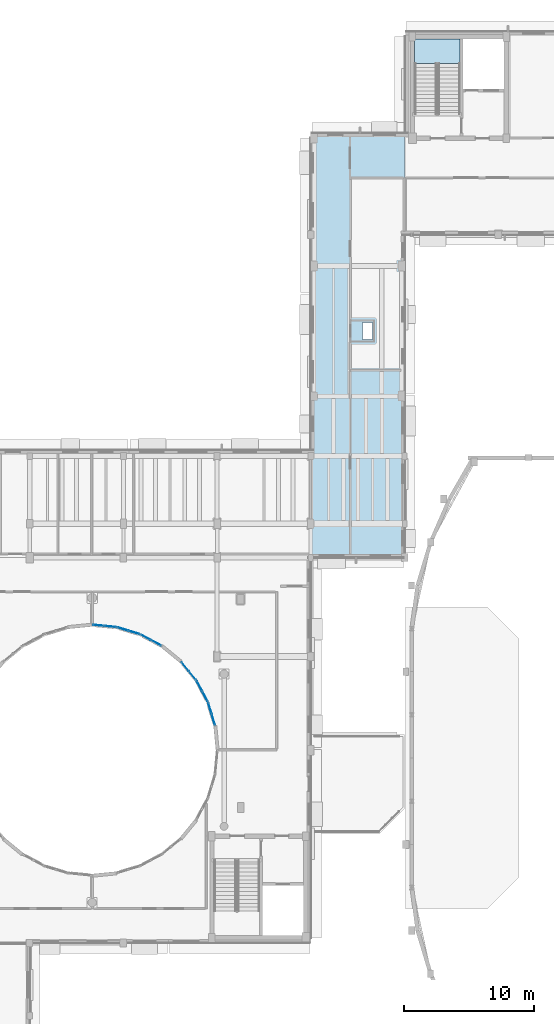
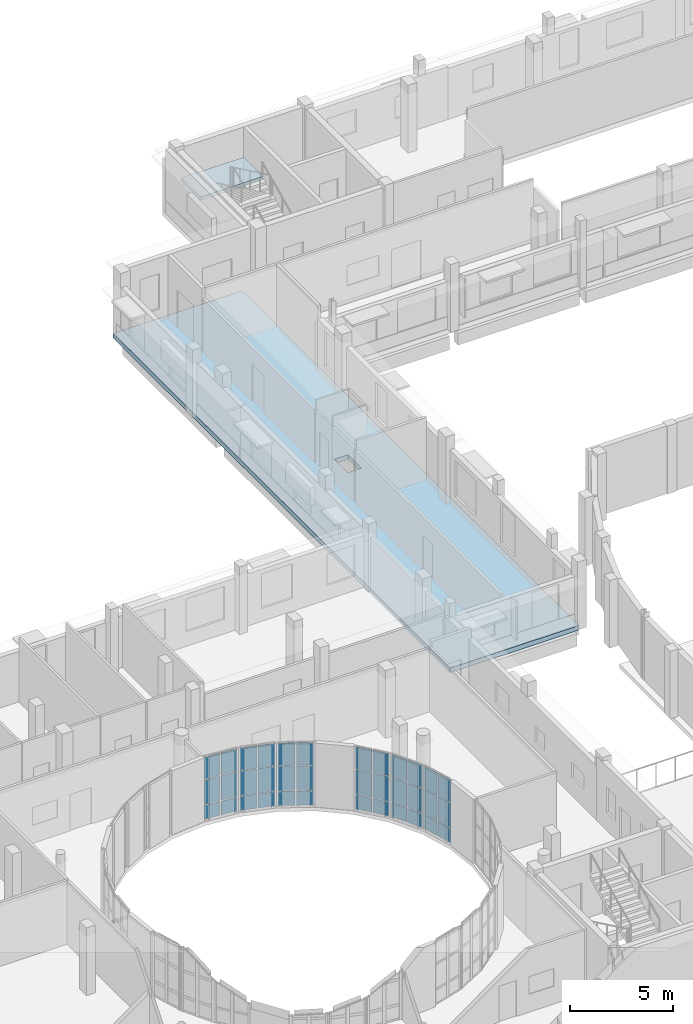
# One storey, part 63 of 89: 36 plates, 2 slabs, 7 elements without a shape of their own.
"""IFC4 building model written with IfcOpenShell, lengths in metres."""

from ifc_helpers import new_model, si_unit, direction, frame, origin, origin_2d, place, context, subcontext, project, spatial, polyline, rectangle, outline, extrude, material, layer, layer_set, type_object, element, aggregate, save


model = new_model("IFC4")

# Units and contexts
model_context = context("Model", 3, precision=1e-05, world=origin(), true_north=direction((0.0, 1.0)))
body_context = subcontext(model_context, "Body", "Model", "MODEL_VIEW")
ifc_project = project(units=[si_unit("LENGTHUNIT", "METRE"), si_unit("AREAUNIT", "SQUARE_METRE"), si_unit("VOLUMEUNIT", "CUBIC_METRE"), si_unit("PLANEANGLEUNIT", "RADIAN"), si_unit("MASSUNIT", "GRAM", prefix="KILO")], contexts=[model_context])

# Site, building, storey
site_placement = place(None, origin())
site = spatial("IfcSite", under=ifc_project, at=site_placement, CompositionType="ELEMENT")
building_placement = place(site_placement, origin())
building = spatial("IfcBuilding", under=site, at=building_placement, Name="Kelanivale Promenade Academy", CompositionType="ELEMENT")
storey_placement = place(building_placement, frame((0.0, 0.0, 12.199951171875)))
storey = spatial("IfcBuildingStorey", under=building, at=storey_placement, Name="L03", CompositionType="ELEMENT", Elevation=12.199951171875)

# Curtain wall, plates
ifc_material_1 = material(Name="Bronze anodised aluminium and solar-control low-E glass", Category="aluminium")
ifc_layer_1 = layer(ifc_material_1, 0.169921875)
ifc_layer_set_1 = layer_set([ifc_layer_1], Name="Bronze anodised aluminium and solar-control low-E glass")
curtain_wall_type_1 = type_object("IfcCurtainWallType", Name="CW-13 Curtain Wall 1350mm Module", PredefinedType="USERDEFINED", material=ifc_layer_set_1)
curtain_wall_1_placement = place(storey_placement, origin())
curtain_wall_1 = element("IfcCurtainWall", 1, at=curtain_wall_1_placement, inside=storey, type_object=curtain_wall_type_1, Name="L03 courtyard curtain wall CW-13", ObjectType="COURTYARD SCREEN GLAZING", PredefinedType="USERDEFINED")
ifc_material_2 = material(Name="Solar-control double glazing 28 mm", Category="glass")
ifc_layer_2 = layer(ifc_material_2, 0.028076171875)
ifc_layer_set_2 = layer_set([ifc_layer_2], Name="Solar-control double glazing 28 mm")
plate_type_1 = type_object("IfcPlateType", Name="CWP-01 Plate 28mm", PredefinedType="CURTAIN_PANEL", material=ifc_layer_set_2)
plate_1_placement = place(storey_placement, frame((106.504638671875, 62.53564453125, 0.05029296875), z_axis=(0.0, 0.0, 1.0), x_axis=(-0.634092539482, 0.773257170269, 0.0)))
plate_1 = element("IfcPlate", 2, at=plate_1_placement, type_object=plate_type_1, Name="CW-13 panel 1.1", PredefinedType="CURTAIN_PANEL", context=body_context, shape_type="SweptSolid", body=[
    extrude(rectangle(XDim=0.833251953125, YDim=0.028076171875, at=origin_2d()), origin(), (0.0, 0.0, 1.0), 0.824951171875),
])
plate_2_placement = place(storey_placement, frame((106.504638671875, 62.53564453125, 0.92529296875), z_axis=(0.0, 0.0, 1.0), x_axis=(-0.634092539482, 0.773257170269, 0.0)))
plate_2 = element("IfcPlate", 3, at=plate_2_placement, type_object=plate_type_1, Name="CW-13 panel 1.2", PredefinedType="CURTAIN_PANEL", context=body_context, shape_type="SweptSolid", body=[
    extrude(rectangle(XDim=0.833251953125, YDim=0.028076171875, at=origin_2d()), origin(), (0.0, 0.0, 1.0), 1.449951171875),
])
plate_3_placement = place(storey_placement, frame((106.504638671875, 62.53564453125, 2.42529296875), z_axis=(0.0, 0.0, 1.0), x_axis=(-0.634092539482, 0.773257170269, 0.0)))
plate_3 = element("IfcPlate", 4, at=plate_3_placement, type_object=plate_type_1, Name="CW-13 panel 1.3", PredefinedType="CURTAIN_PANEL", context=body_context, shape_type="SweptSolid", body=[
    extrude(rectangle(XDim=0.833251953125, YDim=0.028076171875, at=origin_2d()), origin(), (0.0, 0.0, 1.0), 1.304931640625),
])
plate_4_placement = place(storey_placement, frame((105.938232421875, 63.226318359375, 0.05029296875), z_axis=(0.0, 0.0, 1.0), x_axis=(-0.634092539482, 0.773257170269, 0.0)))
plate_4 = element("IfcPlate", 5, at=plate_4_placement, type_object=plate_type_1, Name="CW-13 panel 2.1", PredefinedType="CURTAIN_PANEL", context=body_context, shape_type="SweptSolid", body=[
    extrude(rectangle(XDim=0.833251953125, YDim=0.028076171875, at=origin_2d()), origin(), (0.0, 0.0, 1.0), 0.824951171875),
])
plate_5_placement = place(storey_placement, frame((105.938232421875, 63.226318359375, 0.92529296875), z_axis=(0.0, 0.0, 1.0), x_axis=(-0.634092539482, 0.773257170269, 0.0)))
plate_5 = element("IfcPlate", 6, at=plate_5_placement, type_object=plate_type_1, Name="CW-13 panel 2.2", PredefinedType="CURTAIN_PANEL", context=body_context, shape_type="SweptSolid", body=[
    extrude(rectangle(XDim=0.833251953125, YDim=0.028076171875, at=origin_2d()), origin(), (0.0, 0.0, 1.0), 1.449951171875),
])
plate_6_placement = place(storey_placement, frame((105.938232421875, 63.226318359375, 2.42529296875), z_axis=(0.0, 0.0, 1.0), x_axis=(-0.634092539482, 0.773257170269, 0.0)))
plate_6 = element("IfcPlate", 7, at=plate_6_placement, type_object=plate_type_1, Name="CW-13 panel 2.3", PredefinedType="CURTAIN_PANEL", context=body_context, shape_type="SweptSolid", body=[
    extrude(rectangle(XDim=0.833251953125, YDim=0.028076171875, at=origin_2d()), origin(), (0.0, 0.0, 1.0), 1.304931640625),
])
aggregate(curtain_wall_1, [plate_1, plate_2, plate_3, plate_4, plate_5, plate_6])

ifc_layer_3 = layer(ifc_material_1, 0.169921875)
ifc_layer_set_3 = layer_set([ifc_layer_3], Name="Bronze anodised aluminium and solar-control low-E glass")
curtain_wall_type_2 = type_object("IfcCurtainWallType", Name="CW-16 Curtain Wall 1800mm Module", PredefinedType="USERDEFINED", material=ifc_layer_set_3)
curtain_wall_2_placement = place(storey_placement, origin())
curtain_wall_2 = element("IfcCurtainWall", 8, at=curtain_wall_2_placement, inside=storey, type_object=curtain_wall_type_2, Name="L03 courtyard curtain wall CW-16", ObjectType="COURTYARD SCREEN GLAZING", PredefinedType="USERDEFINED")
plate_7_placement = place(storey_placement, frame((100.19140625, 66.30322265625, 0.06005859375), z_axis=(0.0, 0.0, 1.0), x_axis=(-0.99513321337, 0.098538762159, 0.0)))
plate_7 = element("IfcPlate", 9, at=plate_7_placement, type_object=plate_type_1, Name="CW-16 panel 1.1", PredefinedType="CURTAIN_PANEL", context=body_context, shape_type="SweptSolid", body=[
    extrude(rectangle(XDim=0.825927734375, YDim=0.028076171875, at=origin_2d()), origin(), (0.0, 0.0, 1.0), 0.81005859375),
])
plate_8_placement = place(storey_placement, frame((100.19140625, 66.30322265625, 0.93017578125), z_axis=(0.0, 0.0, 1.0), x_axis=(-0.99513321337, 0.098538762159, 0.0)))
plate_8 = element("IfcPlate", 10, at=plate_8_placement, type_object=plate_type_1, Name="CW-16 panel 1.2", PredefinedType="CURTAIN_PANEL", context=body_context, shape_type="SweptSolid", body=[
    extrude(rectangle(XDim=0.825927734375, YDim=0.028076171875, at=origin_2d()), origin(), (0.0, 0.0, 1.0), 1.43994140625),
])
plate_9_placement = place(storey_placement, frame((100.19140625, 66.30322265625, 2.429931640625), z_axis=(0.0, 0.0, 1.0), x_axis=(-0.99513321337, 0.098538762159, 0.0)))
plate_9 = element("IfcPlate", 11, at=plate_9_placement, type_object=plate_type_1, Name="CW-16 panel 1.3", PredefinedType="CURTAIN_PANEL", context=body_context, shape_type="SweptSolid", body=[
    extrude(rectangle(XDim=0.825927734375, YDim=0.028076171875, at=origin_2d()), origin(), (0.0, 0.0, 1.0), 1.2900390625),
])
plate_10_placement = place(storey_placement, frame((99.3046875, 66.390869140625, 0.06005859375), z_axis=(0.0, 0.0, 1.0), x_axis=(-0.99513321337, 0.098538762159, 0.0)))
plate_10 = element("IfcPlate", 12, at=plate_10_placement, type_object=plate_type_1, Name="CW-16 panel 2.1", PredefinedType="CURTAIN_PANEL", context=body_context, shape_type="SweptSolid", body=[
    extrude(rectangle(XDim=0.825927734375, YDim=0.028076171875, at=origin_2d()), origin(), (0.0, 0.0, 1.0), 0.81005859375),
])
plate_11_placement = place(storey_placement, frame((99.3046875, 66.390869140625, 0.93017578125), z_axis=(0.0, 0.0, 1.0), x_axis=(-0.99513321337, 0.098538762159, 0.0)))
plate_11 = element("IfcPlate", 13, at=plate_11_placement, type_object=plate_type_1, Name="CW-16 panel 2.2", PredefinedType="CURTAIN_PANEL", context=body_context, shape_type="SweptSolid", body=[
    extrude(rectangle(XDim=0.825927734375, YDim=0.028076171875, at=origin_2d()), origin(), (0.0, 0.0, 1.0), 1.43994140625),
])
plate_12_placement = place(storey_placement, frame((99.3046875, 66.390869140625, 2.429931640625), z_axis=(0.0, 0.0, 1.0), x_axis=(-0.99513321337, 0.098538762159, 0.0)))
plate_12 = element("IfcPlate", 14, at=plate_12_placement, type_object=plate_type_1, Name="CW-16 panel 2.3", PredefinedType="CURTAIN_PANEL", context=body_context, shape_type="SweptSolid", body=[
    extrude(rectangle(XDim=0.825927734375, YDim=0.028076171875, at=origin_2d()), origin(), (0.0, 0.0, 1.0), 1.2900390625),
])
aggregate(curtain_wall_2, [plate_7, plate_8, plate_9, plate_10, plate_11, plate_12])

ifc_layer_4 = layer(ifc_material_1, 0.179931640625)
ifc_layer_set_4 = layer_set([ifc_layer_4], Name="Bronze anodised aluminium and solar-control low-E glass")
curtain_wall_type_3 = type_object("IfcCurtainWallType", Name="CW-11 Curtain Wall 1950mm Module", PredefinedType="USERDEFINED", material=ifc_layer_set_4)
curtain_wall_3_placement = place(storey_placement, origin())
curtain_wall_3 = element("IfcCurtainWall", 15, at=curtain_wall_3_placement, inside=storey, type_object=curtain_wall_type_3, Name="L03 courtyard curtain wall CW-11", ObjectType="UNITISED GLAZING", PredefinedType="USERDEFINED")
ifc_material_3 = material(Name="Acoustic laminated double glazing 36 mm", Category="glass")
ifc_layer_5 = layer(ifc_material_3, 0.035888671875)
ifc_layer_set_5 = layer_set([ifc_layer_5], Name="Acoustic laminated double glazing 36 mm")
plate_type_2 = type_object("IfcPlateType", Name="CWP-02 Plate 36mm", PredefinedType="CURTAIN_PANEL", material=ifc_layer_set_5)
plate_13_placement = place(storey_placement, frame((108.1083984375, 59.16552734375, 0.05029296875), z_axis=(0.0, 0.0, 1.0), x_axis=(-0.290127576893, 0.956987977524, 0.0)))
plate_13 = element("IfcPlate", 16, at=plate_13_placement, type_object=plate_type_2, Name="CW-11 panel 1.1", PredefinedType="CURTAIN_PANEL", context=body_context, shape_type="SweptSolid", body=[
    extrude(rectangle(XDim=0.826171875, YDim=0.035888671875, at=origin_2d()), origin(), (0.0, 0.0, 1.0), 0.824951171875),
])
plate_14_placement = place(storey_placement, frame((108.1083984375, 59.16552734375, 0.92529296875), z_axis=(0.0, 0.0, 1.0), x_axis=(-0.290127576893, 0.956987977524, 0.0)))
plate_14 = element("IfcPlate", 17, at=plate_14_placement, type_object=plate_type_2, Name="CW-11 panel 1.2", PredefinedType="CURTAIN_PANEL", context=body_context, shape_type="SweptSolid", body=[
    extrude(rectangle(XDim=0.826171875, YDim=0.035888671875, at=origin_2d()), origin(), (0.0, 0.0, 1.0), 1.449951171875),
])
plate_15_placement = place(storey_placement, frame((108.1083984375, 59.16552734375, 2.42529296875), z_axis=(0.0, 0.0, 1.0), x_axis=(-0.290127576893, 0.956987977524, 0.0)))
plate_15 = element("IfcPlate", 18, at=plate_15_placement, type_object=plate_type_2, Name="CW-11 panel 1.3", PredefinedType="CURTAIN_PANEL", context=body_context, shape_type="SweptSolid", body=[
    extrude(rectangle(XDim=0.826171875, YDim=0.035888671875, at=origin_2d()), origin(), (0.0, 0.0, 1.0), 1.304931640625),
])
plate_16_placement = place(storey_placement, frame((107.849609375, 60.0185546875, 0.05029296875), z_axis=(0.0, 0.0, 1.0), x_axis=(-0.290127576893, 0.956987977524, 0.0)))
plate_16 = element("IfcPlate", 19, at=plate_16_placement, type_object=plate_type_2, Name="CW-11 panel 2.1", PredefinedType="CURTAIN_PANEL", context=body_context, shape_type="SweptSolid", body=[
    extrude(rectangle(XDim=0.826171875, YDim=0.035888671875, at=origin_2d()), origin(), (0.0, 0.0, 1.0), 0.824951171875),
])
plate_17_placement = place(storey_placement, frame((107.849609375, 60.0185546875, 0.92529296875), z_axis=(0.0, 0.0, 1.0), x_axis=(-0.290127576893, 0.956987977524, 0.0)))
plate_17 = element("IfcPlate", 20, at=plate_17_placement, type_object=plate_type_2, Name="CW-11 panel 2.2", PredefinedType="CURTAIN_PANEL", context=body_context, shape_type="SweptSolid", body=[
    extrude(rectangle(XDim=0.826171875, YDim=0.035888671875, at=origin_2d()), origin(), (0.0, 0.0, 1.0), 1.449951171875),
])
plate_18_placement = place(storey_placement, frame((107.849609375, 60.0185546875, 2.42529296875), z_axis=(0.0, 0.0, 1.0), x_axis=(-0.290127576893, 0.956987977524, 0.0)))
plate_18 = element("IfcPlate", 21, at=plate_18_placement, type_object=plate_type_2, Name="CW-11 panel 2.3", PredefinedType="CURTAIN_PANEL", context=body_context, shape_type="SweptSolid", body=[
    extrude(rectangle(XDim=0.826171875, YDim=0.035888671875, at=origin_2d()), origin(), (0.0, 0.0, 1.0), 1.304931640625),
])
aggregate(curtain_wall_3, [plate_13, plate_14, plate_15, plate_16, plate_17, plate_18])

ifc_layer_6 = layer(ifc_material_1, 0.179931640625)
ifc_layer_set_6 = layer_set([ifc_layer_6], Name="Bronze anodised aluminium and solar-control low-E glass")
curtain_wall_type_4 = type_object("IfcCurtainWallType", Name="CW-14 Curtain Wall 1500mm Module", PredefinedType="USERDEFINED", material=ifc_layer_set_6)
curtain_wall_4_placement = place(storey_placement, origin())
curtain_wall_4 = element("IfcCurtainWall", 22, at=curtain_wall_4_placement, inside=storey, type_object=curtain_wall_type_4, Name="L03 courtyard curtain wall CW-14", ObjectType="COURTYARD SCREEN GLAZING", PredefinedType="USERDEFINED")
plate_19_placement = place(storey_placement, frame((103.710205078125, 65.0537109375, 0.05029296875), z_axis=(0.0, 0.0, 1.0), x_axis=(-0.881978204448, 0.471290193914, 0.0)))
plate_19 = element("IfcPlate", 23, at=plate_19_placement, type_object=plate_type_2, Name="CW-14 panel 1.1", PredefinedType="CURTAIN_PANEL", context=body_context, shape_type="SweptSolid", body=[
    extrude(rectangle(XDim=0.833984375, YDim=0.035888671875, at=origin_2d()), origin(), (0.0, 0.0, 1.0), 0.824951171875),
])
plate_20_placement = place(storey_placement, frame((103.710205078125, 65.0537109375, 0.92529296875), z_axis=(0.0, 0.0, 1.0), x_axis=(-0.881978204448, 0.471290193914, 0.0)))
plate_20 = element("IfcPlate", 24, at=plate_20_placement, type_object=plate_type_2, Name="CW-14 panel 1.2", PredefinedType="CURTAIN_PANEL", context=body_context, shape_type="SweptSolid", body=[
    extrude(rectangle(XDim=0.833984375, YDim=0.035888671875, at=origin_2d()), origin(), (0.0, 0.0, 1.0), 1.449951171875),
])
plate_21_placement = place(storey_placement, frame((103.710205078125, 65.0537109375, 2.42529296875), z_axis=(0.0, 0.0, 1.0), x_axis=(-0.881978204448, 0.471290193914, 0.0)))
plate_21 = element("IfcPlate", 25, at=plate_21_placement, type_object=plate_type_2, Name="CW-14 panel 1.3", PredefinedType="CURTAIN_PANEL", context=body_context, shape_type="SweptSolid", body=[
    extrude(rectangle(XDim=0.833984375, YDim=0.035888671875, at=origin_2d()), origin(), (0.0, 0.0, 1.0), 1.304931640625),
])
plate_22_placement = place(storey_placement, frame((102.921630859375, 65.47509765625, 0.05029296875), z_axis=(0.0, 0.0, 1.0), x_axis=(-0.881978204448, 0.471290193914, 0.0)))
plate_22 = element("IfcPlate", 26, at=plate_22_placement, type_object=plate_type_2, Name="CW-14 panel 2.1", PredefinedType="CURTAIN_PANEL", context=body_context, shape_type="SweptSolid", body=[
    extrude(rectangle(XDim=0.833984375, YDim=0.035888671875, at=origin_2d()), origin(), (0.0, 0.0, 1.0), 0.824951171875),
])
plate_23_placement = place(storey_placement, frame((102.921630859375, 65.47509765625, 0.92529296875), z_axis=(0.0, 0.0, 1.0), x_axis=(-0.881978204448, 0.471290193914, 0.0)))
plate_23 = element("IfcPlate", 27, at=plate_23_placement, type_object=plate_type_2, Name="CW-14 panel 2.2", PredefinedType="CURTAIN_PANEL", context=body_context, shape_type="SweptSolid", body=[
    extrude(rectangle(XDim=0.833984375, YDim=0.035888671875, at=origin_2d()), origin(), (0.0, 0.0, 1.0), 1.449951171875),
])
plate_24_placement = place(storey_placement, frame((102.921630859375, 65.47509765625, 2.42529296875), z_axis=(0.0, 0.0, 1.0), x_axis=(-0.881978204448, 0.471290193914, 0.0)))
plate_24 = element("IfcPlate", 28, at=plate_24_placement, type_object=plate_type_2, Name="CW-14 panel 2.3", PredefinedType="CURTAIN_PANEL", context=body_context, shape_type="SweptSolid", body=[
    extrude(rectangle(XDim=0.833984375, YDim=0.035888671875, at=origin_2d()), origin(), (0.0, 0.0, 1.0), 1.304931640625),
])
aggregate(curtain_wall_4, [plate_19, plate_20, plate_21, plate_22, plate_23, plate_24])

ifc_layer_7 = layer(ifc_material_1, 0.159912109375)
ifc_layer_set_7 = layer_set([ifc_layer_7], Name="Bronze anodised aluminium and solar-control low-E glass")
curtain_wall_type_5 = type_object("IfcCurtainWallType", Name="CW-12 Curtain Wall 1200mm Module", PredefinedType="USERDEFINED", material=ifc_layer_set_7)
curtain_wall_5_placement = place(storey_placement, origin())
curtain_wall_5 = element("IfcCurtainWall", 29, at=curtain_wall_5_placement, inside=storey, type_object=curtain_wall_type_5, Name="L03 courtyard curtain wall CW-12", ObjectType="UNITISED GLAZING", PredefinedType="USERDEFINED")
ifc_material_4 = material(Name="Insulated bronze aluminium spandrel panel 44 mm", Category="aluminium")
ifc_layer_8 = layer(ifc_material_4, 0.0439453125)
ifc_layer_set_8 = layer_set([ifc_layer_8], Name="Insulated bronze aluminium spandrel panel 44 mm")
plate_type_3 = type_object("IfcPlateType", Name="CWP-03 Plate 44mm", PredefinedType="CURTAIN_PANEL", material=ifc_layer_set_8)
plate_25_placement = place(storey_placement, frame((107.472900390625, 60.926025390625, 0.06005859375), z_axis=(0.0, 0.0, 1.0), x_axis=(-0.471312481286, 0.881966294698, 0.0)))
plate_25 = element("IfcPlate", 30, at=plate_25_placement, type_object=plate_type_3, Name="CW-12 panel 1.1", PredefinedType="CURTAIN_PANEL", context=body_context, shape_type="SweptSolid", body=[
    extrude(rectangle(XDim=0.833984375, YDim=0.0439453125, at=origin_2d()), origin(), (0.0, 0.0, 1.0), 0.81005859375),
])
plate_26_placement = place(storey_placement, frame((107.472900390625, 60.926025390625, 0.93017578125), z_axis=(0.0, 0.0, 1.0), x_axis=(-0.471312481286, 0.881966294698, 0.0)))
plate_26 = element("IfcPlate", 31, at=plate_26_placement, type_object=plate_type_3, Name="CW-12 panel 1.2", PredefinedType="CURTAIN_PANEL", context=body_context, shape_type="SweptSolid", body=[
    extrude(rectangle(XDim=0.833984375, YDim=0.0439453125, at=origin_2d()), origin(), (0.0, 0.0, 1.0), 1.43994140625),
])
plate_27_placement = place(storey_placement, frame((107.472900390625, 60.926025390625, 2.429931640625), z_axis=(0.0, 0.0, 1.0), x_axis=(-0.471312481286, 0.881966294698, 0.0)))
plate_27 = element("IfcPlate", 32, at=plate_27_placement, type_object=plate_type_3, Name="CW-12 panel 1.3", PredefinedType="CURTAIN_PANEL", context=body_context, shape_type="SweptSolid", body=[
    extrude(rectangle(XDim=0.833984375, YDim=0.0439453125, at=origin_2d()), origin(), (0.0, 0.0, 1.0), 1.2900390625),
])
plate_28_placement = place(storey_placement, frame((107.049072265625, 61.718994140625, 0.06005859375), z_axis=(0.0, 0.0, 1.0), x_axis=(-0.471312481286, 0.881966294698, 0.0)))
plate_28 = element("IfcPlate", 33, at=plate_28_placement, type_object=plate_type_3, Name="CW-12 panel 2.1", PredefinedType="CURTAIN_PANEL", context=body_context, shape_type="SweptSolid", body=[
    extrude(rectangle(XDim=0.833984375, YDim=0.0439453125, at=origin_2d()), origin(), (0.0, 0.0, 1.0), 0.81005859375),
])
plate_29_placement = place(storey_placement, frame((107.049072265625, 61.718994140625, 0.93017578125), z_axis=(0.0, 0.0, 1.0), x_axis=(-0.471312481286, 0.881966294698, 0.0)))
plate_29 = element("IfcPlate", 34, at=plate_29_placement, type_object=plate_type_3, Name="CW-12 panel 2.2", PredefinedType="CURTAIN_PANEL", context=body_context, shape_type="SweptSolid", body=[
    extrude(rectangle(XDim=0.833984375, YDim=0.0439453125, at=origin_2d()), origin(), (0.0, 0.0, 1.0), 1.43994140625),
])
plate_30_placement = place(storey_placement, frame((107.049072265625, 61.718994140625, 2.429931640625), z_axis=(0.0, 0.0, 1.0), x_axis=(-0.471312481286, 0.881966294698, 0.0)))
plate_30 = element("IfcPlate", 35, at=plate_30_placement, type_object=plate_type_3, Name="CW-12 panel 2.3", PredefinedType="CURTAIN_PANEL", context=body_context, shape_type="SweptSolid", body=[
    extrude(rectangle(XDim=0.833984375, YDim=0.0439453125, at=origin_2d()), origin(), (0.0, 0.0, 1.0), 1.2900390625),
])
aggregate(curtain_wall_5, [plate_25, plate_26, plate_27, plate_28, plate_29, plate_30])

ifc_layer_9 = layer(ifc_material_1, 0.159912109375)
ifc_layer_set_9 = layer_set([ifc_layer_9], Name="Bronze anodised aluminium and solar-control low-E glass")
curtain_wall_type_6 = type_object("IfcCurtainWallType", Name="CW-15 Curtain Wall 1650mm Module", PredefinedType="USERDEFINED", material=ifc_layer_set_9)
curtain_wall_6_placement = place(storey_placement, origin())
curtain_wall_6 = element("IfcCurtainWall", 36, at=curtain_wall_6_placement, inside=storey, type_object=curtain_wall_type_6, Name="L03 courtyard curtain wall CW-15", ObjectType="COURTYARD SCREEN GLAZING", PredefinedType="USERDEFINED")
plate_31_placement = place(storey_placement, frame((102.014892578125, 65.850830078125, 0.05029296875), z_axis=(0.0, 0.0, 1.0), x_axis=(-0.957024404432, 0.290007395287, 0.0)))
plate_31 = element("IfcPlate", 37, at=plate_31_placement, type_object=plate_type_3, Name="CW-15 panel 1.1", PredefinedType="CURTAIN_PANEL", context=body_context, shape_type="SweptSolid", body=[
    extrude(rectangle(XDim=0.83349609375, YDim=0.0439453125, at=origin_2d()), origin(), (0.0, 0.0, 1.0), 0.824951171875),
])
plate_32_placement = place(storey_placement, frame((102.014892578125, 65.850830078125, 0.92529296875), z_axis=(0.0, 0.0, 1.0), x_axis=(-0.957024404432, 0.290007395287, 0.0)))
plate_32 = element("IfcPlate", 38, at=plate_32_placement, type_object=plate_type_3, Name="CW-15 panel 1.2", PredefinedType="CURTAIN_PANEL", context=body_context, shape_type="SweptSolid", body=[
    extrude(rectangle(XDim=0.83349609375, YDim=0.0439453125, at=origin_2d()), origin(), (0.0, 0.0, 1.0), 1.449951171875),
])
plate_33_placement = place(storey_placement, frame((102.014892578125, 65.850830078125, 2.42529296875), z_axis=(0.0, 0.0, 1.0), x_axis=(-0.957024404432, 0.290007395287, 0.0)))
plate_33 = element("IfcPlate", 39, at=plate_33_placement, type_object=plate_type_3, Name="CW-15 panel 1.3", PredefinedType="CURTAIN_PANEL", context=body_context, shape_type="SweptSolid", body=[
    extrude(rectangle(XDim=0.83349609375, YDim=0.0439453125, at=origin_2d()), origin(), (0.0, 0.0, 1.0), 1.304931640625),
])
plate_34_placement = place(storey_placement, frame((101.155029296875, 66.111328125, 0.05029296875), z_axis=(0.0, 0.0, 1.0), x_axis=(-0.957024404432, 0.290007395287, 0.0)))
plate_34 = element("IfcPlate", 40, at=plate_34_placement, type_object=plate_type_3, Name="CW-15 panel 2.1", PredefinedType="CURTAIN_PANEL", context=body_context, shape_type="SweptSolid", body=[
    extrude(rectangle(XDim=0.83349609375, YDim=0.0439453125, at=origin_2d()), origin(), (0.0, 0.0, 1.0), 0.824951171875),
])
plate_35_placement = place(storey_placement, frame((101.155029296875, 66.111328125, 0.92529296875), z_axis=(0.0, 0.0, 1.0), x_axis=(-0.957024404432, 0.290007395287, 0.0)))
plate_35 = element("IfcPlate", 41, at=plate_35_placement, type_object=plate_type_3, Name="CW-15 panel 2.2", PredefinedType="CURTAIN_PANEL", context=body_context, shape_type="SweptSolid", body=[
    extrude(rectangle(XDim=0.83349609375, YDim=0.0439453125, at=origin_2d()), origin(), (0.0, 0.0, 1.0), 1.449951171875),
])
plate_36_placement = place(storey_placement, frame((101.155029296875, 66.111328125, 2.42529296875), z_axis=(0.0, 0.0, 1.0), x_axis=(-0.957024404432, 0.290007395287, 0.0)))
plate_36 = element("IfcPlate", 42, at=plate_36_placement, type_object=plate_type_3, Name="CW-15 panel 2.3", PredefinedType="CURTAIN_PANEL", context=body_context, shape_type="SweptSolid", body=[
    extrude(rectangle(XDim=0.83349609375, YDim=0.0439453125, at=origin_2d()), origin(), (0.0, 0.0, 1.0), 1.304931640625),
])
aggregate(curtain_wall_6, [plate_31, plate_32, plate_33, plate_34, plate_35, plate_36])

# Slab
ifc_material_5 = material(Name="Concrete C35/45", Category="concrete")
ifc_layer_10 = layer(ifc_material_5, 0.280029296875)
ifc_layer_set_10 = layer_set([ifc_layer_10], Name="Concrete C35/45")
slab_type_1 = type_object("IfcSlabType", Name="FS-03 Slab 280mm", PredefinedType="FLOOR", material=ifc_layer_set_10)
slab_1_placement = place(storey_placement, frame((0.0, 0.0, -0.280029296875)))
element("IfcSlab", 43, at=slab_1_placement, inside=storey, type_object=slab_type_1, Name="L03 structural slab SLB-L03-V5K", PredefinedType="FLOOR", context=body_context, shape_type="SweptSolid", body=[
    extrude(outline(polyline([(122.800048828125, 71.60009765625), (122.800048828125, 104.199951171875), (115.60009765625, 104.199951171875), (115.60009765625, 71.60009765625), (122.800048828125, 71.60009765625)]), holes=[polyline([(120.320068359375, 89.64990234375), (120.320068359375, 88.35009765625), (119.550048828125, 88.35009765625), (119.550048828125, 89.64990234375), (120.320068359375, 89.64990234375)])]), origin(), (0.0, 0.0, 1.0), 0.280029296875),
])

# Stair, slab
stair_type = type_object("IfcStairType", Name="ST-T02 Protected dog-leg upper-storey stair", PredefinedType="HALF_TURN_STAIR", material=ifc_material_5)
stair_placement = place(storey_placement, origin())
stair = element("IfcStair", 44, at=stair_placement, inside=storey, type_object=stair_type, Name="L03 ST-05", PredefinedType="HALF_TURN_STAIR")
ifc_layer_11 = layer(ifc_material_5, 0.199951171875)
ifc_layer_set_11 = layer_set([ifc_layer_11], Name="Concrete C35/45")
slab_type_2 = type_object("IfcSlabType", Name="LS-01 Slab 200mm", PredefinedType="LANDING", material=ifc_layer_set_11)
slab_2_placement = place(storey_placement, frame((0.0, 0.0, 1.800048828125)))
slab_2 = element("IfcSlab", 45, at=slab_2_placement, type_object=slab_type_2, Name="ST-05 landing 1", PredefinedType="LANDING", context=body_context, shape_type="SweptSolid", body=[
    extrude(outline(polyline([(127.06494140625, 109.554931640625), (127.06494140625, 111.43505859375), (123.56494140625, 111.43505859375), (123.56494140625, 109.554931640625), (127.06494140625, 109.554931640625)])), origin(), (0.0, 0.0, 1.0), 0.199951171875),
])
aggregate(stair, [slab_2])

save(model, "model.ifc")
